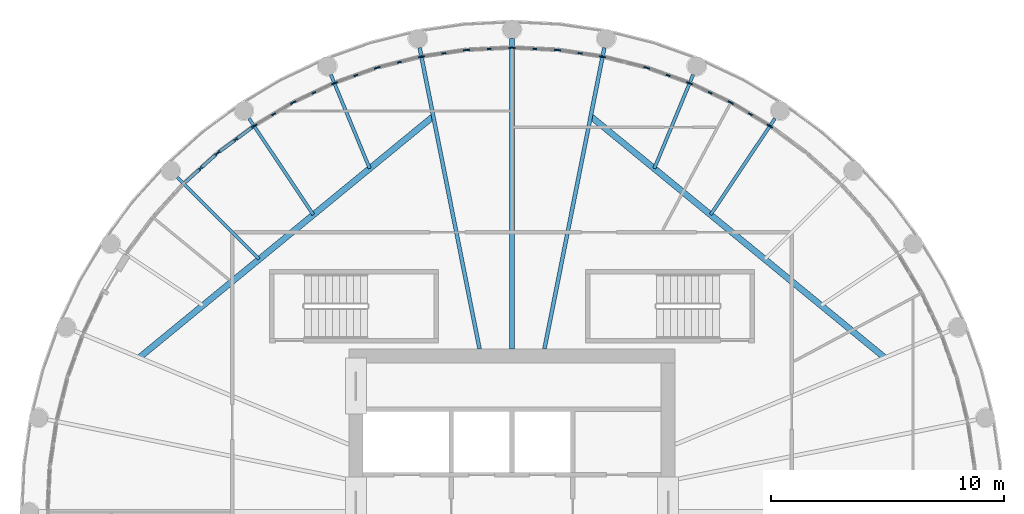
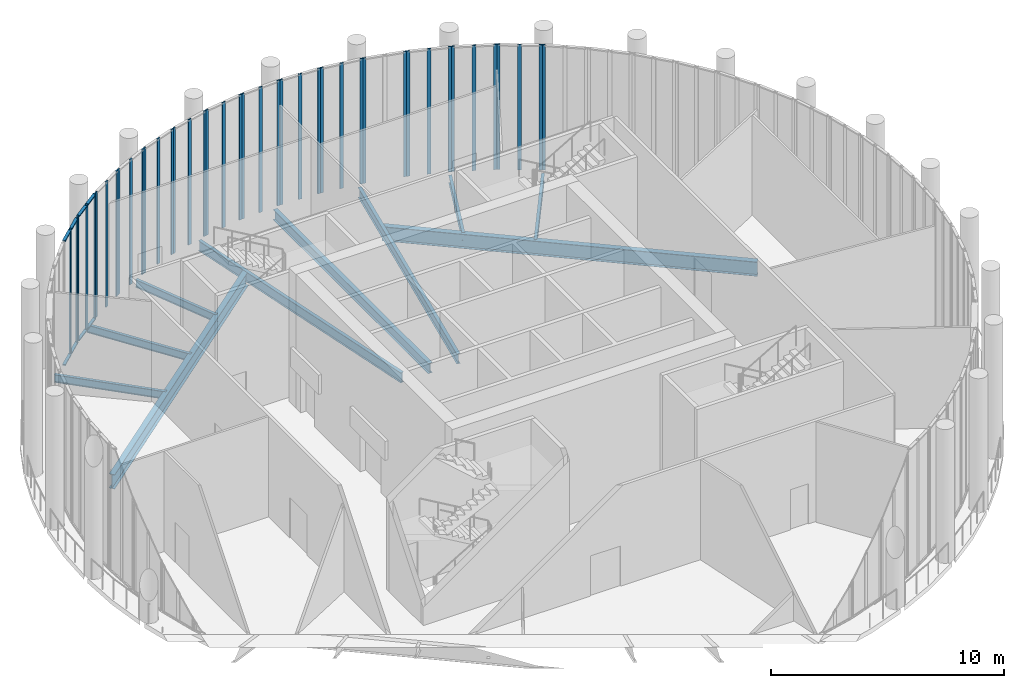
# One storey, part 7 of 21: 49 members, 10 beams, 15 elements without a shape of their own.
"""IFC4 building model written with IfcOpenShell, lengths in metres."""

from ifc_helpers import new_model, si_unit, direction, frame, origin, origin_2d, place, context, subcontext, project, spatial, rectangle, i_section, extrude, material, material_profile, profile_set, type_object, element, aggregate, save


model = new_model("IFC4")

# Units and contexts
model_context = context("Model", 3, precision=1e-05, world=origin(), true_north=direction((0.0, 1.0)))
body_context = subcontext(model_context, "Body", "Model", "MODEL_VIEW")
ifc_project = project(units=[si_unit("LENGTHUNIT", "METRE"), si_unit("AREAUNIT", "SQUARE_METRE"), si_unit("VOLUMEUNIT", "CUBIC_METRE"), si_unit("PLANEANGLEUNIT", "RADIAN"), si_unit("MASSUNIT", "GRAM", prefix="KILO")], contexts=[model_context])

# Site, building, storey
site_placement = place(None, origin())
site = spatial("IfcSite", under=ifc_project, at=site_placement, CompositionType="ELEMENT")
building_placement = place(site_placement, origin())
building = spatial("IfcBuilding", under=site, at=building_placement, Name="Corvane Civic Tower", CompositionType="ELEMENT")
storey_placement = place(building_placement, frame((0.0, 0.0, 380.5)))
storey = spatial("IfcBuildingStorey", under=building, at=storey_placement, Name="L91", CompositionType="ELEMENT", Elevation=380.5)

# Curtain wall, members
ifc_material_1 = material(Name="Aluminium and glass", Category="aluminium")
curtain_wall_type = type_object("IfcCurtainWallType", Name="CROWN-CW-O-RUN", PredefinedType="NOTDEFINED", material=ifc_material_1)
curtain_wall_1_placement = place(storey_placement, origin())
curtain_wall_1 = element("IfcCurtainWall", 1, at=curtain_wall_1_placement, inside=storey, type_object=curtain_wall_type, Name="CW-O run L91 1", PredefinedType="NOTDEFINED")
ifc_material_2 = material(Name="Anodised aluminium bronze", Category="aluminium")
ifc_material_profile_1 = material_profile(ifc_material_2, rectangle(XDim=0.06005859375, YDim=0.179931640625, at=origin_2d()), Name="AL 60x180")
ifc_profile_set_1 = profile_set([ifc_material_profile_1], Name="Anodised aluminium bronze")
member_type_1 = type_object("IfcMemberType", Name="CROWN-CWO-MULLION-60x180", PredefinedType="MULLION", material=ifc_profile_set_1)
member_1_placement = place(storey_placement, frame((-0.045654296875, 19.90771484375, 0.0), z_axis=(0.0, 0.0, 1.0), x_axis=(0.048990829113, -0.998799228405, 0.0)))
member_1 = element("IfcMember", 2, at=member_1_placement, type_object=member_type_1, Name="CW-O mullion 1", PredefinedType="MULLION", context=body_context, shape_type="SweptSolid", body=[
    extrude(rectangle(XDim=0.06005859375, YDim=0.179931640625, at=origin_2d()), origin(), (0.0, 0.0, 1.0), 6.550048828125),
])
member_2_placement = place(storey_placement, frame((-0.975830078125, 19.862060546875, 0.0), z_axis=(0.0, 0.0, 1.0), x_axis=(0.048990829113, -0.998799228405, 0.0)))
member_2 = element("IfcMember", 3, at=member_2_placement, type_object=member_type_1, Name="CW-O mullion 2", PredefinedType="MULLION", context=body_context, shape_type="SweptSolid", body=[
    extrude(rectangle(XDim=0.06005859375, YDim=0.179931640625, at=origin_2d()), origin(), (0.0, 0.0, 1.0), 6.550048828125),
])
member_3_placement = place(storey_placement, frame((-1.90625, 19.81640625, 0.0), z_axis=(0.0, 0.0, 1.0), x_axis=(0.048990829113, -0.998799228405, 0.0)))
member_3 = element("IfcMember", 4, at=member_3_placement, type_object=member_type_1, Name="CW-O mullion 3", PredefinedType="MULLION", context=body_context, shape_type="SweptSolid", body=[
    extrude(rectangle(XDim=0.06005859375, YDim=0.179931640625, at=origin_2d()), origin(), (0.0, 0.0, 1.0), 6.550048828125),
])
aggregate(curtain_wall_1, [member_1, member_2, member_3])

curtain_wall_2_placement = place(storey_placement, origin())
curtain_wall_2 = element("IfcCurtainWall", 5, at=curtain_wall_2_placement, inside=storey, type_object=curtain_wall_type, Name="CW-O run L91 2", PredefinedType="NOTDEFINED")
member_4_placement = place(storey_placement, frame((-1.99658203125, 19.807373046875, 0.0), z_axis=(0.0, 0.0, 1.0), x_axis=(0.146771076941, -0.989170486303, 0.0)))
member_4 = element("IfcMember", 6, at=member_4_placement, type_object=member_type_1, Name="CW-O mullion 1", PredefinedType="MULLION", context=body_context, shape_type="SweptSolid", body=[
    extrude(rectangle(XDim=0.06005859375, YDim=0.179931640625, at=origin_2d()), origin(), (0.0, 0.0, 1.0), 6.550048828125),
])
member_5_placement = place(storey_placement, frame((-2.91796875, 19.670654296875, 0.0), z_axis=(0.0, 0.0, 1.0), x_axis=(0.146771076941, -0.989170486303, 0.0)))
member_5 = element("IfcMember", 7, at=member_5_placement, type_object=member_type_1, Name="CW-O mullion 2", PredefinedType="MULLION", context=body_context, shape_type="SweptSolid", body=[
    extrude(rectangle(XDim=0.06005859375, YDim=0.179931640625, at=origin_2d()), origin(), (0.0, 0.0, 1.0), 6.550048828125),
])
member_6_placement = place(storey_placement, frame((-3.839111328125, 19.533935546875, 0.0), z_axis=(0.0, 0.0, 1.0), x_axis=(0.146771076941, -0.989170486303, 0.0)))
member_6 = element("IfcMember", 8, at=member_6_placement, type_object=member_type_1, Name="CW-O mullion 3", PredefinedType="MULLION", context=body_context, shape_type="SweptSolid", body=[
    extrude(rectangle(XDim=0.06005859375, YDim=0.179931640625, at=origin_2d()), origin(), (0.0, 0.0, 1.0), 6.550048828125),
])
aggregate(curtain_wall_2, [member_4, member_5, member_6])

curtain_wall_3_placement = place(storey_placement, origin())
curtain_wall_3 = element("IfcCurtainWall", 9, at=curtain_wall_3_placement, inside=storey, type_object=curtain_wall_type, Name="CW-O run L91 3", PredefinedType="NOTDEFINED")
member_7_placement = place(storey_placement, frame((-3.928466796875, 19.516357421875, 0.0), z_axis=(0.0, 0.0, 1.0), x_axis=(0.242951704982, -0.970038385347, 0.0)))
member_7 = element("IfcMember", 10, at=member_7_placement, type_object=member_type_1, Name="CW-O mullion 1", PredefinedType="MULLION", context=body_context, shape_type="SweptSolid", body=[
    extrude(rectangle(XDim=0.06005859375, YDim=0.179931640625, at=origin_2d()), origin(), (0.0, 0.0, 1.0), 6.550048828125),
])
member_8_placement = place(storey_placement, frame((-4.831787109375, 19.2900390625, 0.0), z_axis=(0.0, 0.0, 1.0), x_axis=(0.242951704982, -0.970038385347, 0.0)))
member_8 = element("IfcMember", 11, at=member_8_placement, type_object=member_type_1, Name="CW-O mullion 2", PredefinedType="MULLION", context=body_context, shape_type="SweptSolid", body=[
    extrude(rectangle(XDim=0.06005859375, YDim=0.179931640625, at=origin_2d()), origin(), (0.0, 0.0, 1.0), 6.550048828125),
])
member_9_placement = place(storey_placement, frame((-5.7353515625, 19.063720703125, 0.0), z_axis=(0.0, 0.0, 1.0), x_axis=(0.242951704982, -0.970038385347, 0.0)))
member_9 = element("IfcMember", 12, at=member_9_placement, type_object=member_type_1, Name="CW-O mullion 3", PredefinedType="MULLION", context=body_context, shape_type="SweptSolid", body=[
    extrude(rectangle(XDim=0.06005859375, YDim=0.179931640625, at=origin_2d()), origin(), (0.0, 0.0, 1.0), 6.550048828125),
])
aggregate(curtain_wall_3, [member_7, member_8, member_9])

curtain_wall_4_placement = place(storey_placement, origin())
curtain_wall_4 = element("IfcCurtainWall", 13, at=curtain_wall_4_placement, inside=storey, type_object=curtain_wall_type, Name="CW-O run L91 4", PredefinedType="NOTDEFINED")
member_10_placement = place(storey_placement, frame((-5.822509765625, 19.037353515625, 0.0), z_axis=(0.0, 0.0, 1.0), x_axis=(0.336982106999, -0.941511051216, 0.0)))
member_10 = element("IfcMember", 14, at=member_10_placement, type_object=member_type_1, Name="CW-O mullion 1", PredefinedType="MULLION", context=body_context, shape_type="SweptSolid", body=[
    extrude(rectangle(XDim=0.06005859375, YDim=0.179931640625, at=origin_2d()), origin(), (0.0, 0.0, 1.0), 6.550048828125),
])
member_11_placement = place(storey_placement, frame((-6.69921875, 18.723388671875, 0.0), z_axis=(0.0, 0.0, 1.0), x_axis=(0.336982106999, -0.941511051216, 0.0)))
member_11 = element("IfcMember", 15, at=member_11_placement, type_object=member_type_1, Name="CW-O mullion 2", PredefinedType="MULLION", context=body_context, shape_type="SweptSolid", body=[
    extrude(rectangle(XDim=0.06005859375, YDim=0.179931640625, at=origin_2d()), origin(), (0.0, 0.0, 1.0), 6.550048828125),
])
member_12_placement = place(storey_placement, frame((-7.576171875, 18.40966796875, 0.0), z_axis=(0.0, 0.0, 1.0), x_axis=(0.336982106999, -0.941511051216, 0.0)))
member_12 = element("IfcMember", 16, at=member_12_placement, type_object=member_type_1, Name="CW-O mullion 3", PredefinedType="MULLION", context=body_context, shape_type="SweptSolid", body=[
    extrude(rectangle(XDim=0.06005859375, YDim=0.179931640625, at=origin_2d()), origin(), (0.0, 0.0, 1.0), 6.550048828125),
])
aggregate(curtain_wall_4, [member_10, member_11, member_12])

curtain_wall_5_placement = place(storey_placement, origin())
curtain_wall_5 = element("IfcCurtainWall", 17, at=curtain_wall_5_placement, inside=storey, type_object=curtain_wall_type, Name="CW-O run L91 5", PredefinedType="NOTDEFINED")
member_13_placement = place(storey_placement, frame((-7.660400390625, 18.374755859375, 0.0), z_axis=(0.0, 0.0, 1.0), x_axis=(0.427509457959, -0.904010875684, 0.0)))
member_13 = element("IfcMember", 18, at=member_13_placement, type_object=member_type_1, Name="CW-O mullion 1", PredefinedType="MULLION", context=body_context, shape_type="SweptSolid", body=[
    extrude(rectangle(XDim=0.06005859375, YDim=0.179931640625, at=origin_2d()), origin(), (0.0, 0.0, 1.0), 6.550048828125),
])
member_14_placement = place(storey_placement, frame((-8.502197265625, 17.9765625, 0.0), z_axis=(0.0, 0.0, 1.0), x_axis=(0.427509457959, -0.904010875684, 0.0)))
member_14 = element("IfcMember", 19, at=member_14_placement, type_object=member_type_1, Name="CW-O mullion 2", PredefinedType="MULLION", context=body_context, shape_type="SweptSolid", body=[
    extrude(rectangle(XDim=0.06005859375, YDim=0.179931640625, at=origin_2d()), origin(), (0.0, 0.0, 1.0), 6.550048828125),
])
member_15_placement = place(storey_placement, frame((-9.34423828125, 17.578369140625, 0.0), z_axis=(0.0, 0.0, 1.0), x_axis=(0.427509457959, -0.904010875684, 0.0)))
member_15 = element("IfcMember", 20, at=member_15_placement, type_object=member_type_1, Name="CW-O mullion 3", PredefinedType="MULLION", context=body_context, shape_type="SweptSolid", body=[
    extrude(rectangle(XDim=0.06005859375, YDim=0.179931640625, at=origin_2d()), origin(), (0.0, 0.0, 1.0), 6.550048828125),
])
aggregate(curtain_wall_5, [member_13, member_14, member_15])

curtain_wall_6_placement = place(storey_placement, origin())
curtain_wall_6 = element("IfcCurtainWall", 21, at=curtain_wall_6_placement, inside=storey, type_object=curtain_wall_type, Name="CW-O run L91 6", PredefinedType="NOTDEFINED")
member_16_placement = place(storey_placement, frame((-9.424560546875, 17.53564453125, 0.0), z_axis=(0.0, 0.0, 1.0), x_axis=(0.514151508287, -0.857699380043, 0.0)))
member_16 = element("IfcMember", 22, at=member_16_placement, type_object=member_type_1, Name="CW-O mullion 1", PredefinedType="MULLION", context=body_context, shape_type="SweptSolid", body=[
    extrude(rectangle(XDim=0.06005859375, YDim=0.179931640625, at=origin_2d()), origin(), (0.0, 0.0, 1.0), 6.550048828125),
])
member_17_placement = place(storey_placement, frame((-10.223388671875, 17.056640625, 0.0), z_axis=(0.0, 0.0, 1.0), x_axis=(0.514151508287, -0.857699380043, 0.0)))
member_17 = element("IfcMember", 23, at=member_17_placement, type_object=member_type_1, Name="CW-O mullion 2", PredefinedType="MULLION", context=body_context, shape_type="SweptSolid", body=[
    extrude(rectangle(XDim=0.06005859375, YDim=0.179931640625, at=origin_2d()), origin(), (0.0, 0.0, 1.0), 6.550048828125),
])
member_18_placement = place(storey_placement, frame((-11.022216796875, 16.577880859375, 0.0), z_axis=(0.0, 0.0, 1.0), x_axis=(0.514151508287, -0.857699380043, 0.0)))
member_18 = element("IfcMember", 24, at=member_18_placement, type_object=member_type_1, Name="CW-O mullion 3", PredefinedType="MULLION", context=body_context, shape_type="SweptSolid", body=[
    extrude(rectangle(XDim=0.06005859375, YDim=0.179931640625, at=origin_2d()), origin(), (0.0, 0.0, 1.0), 6.550048828125),
])
aggregate(curtain_wall_6, [member_16, member_17, member_18])

curtain_wall_7_placement = place(storey_placement, origin())
curtain_wall_7 = element("IfcCurtainWall", 25, at=curtain_wall_7_placement, inside=storey, type_object=curtain_wall_type, Name="CW-O run L91 7", PredefinedType="NOTDEFINED")
member_19_placement = place(storey_placement, frame((-11.097900390625, 16.52734375, 0.0), z_axis=(0.0, 0.0, 1.0), x_axis=(0.595722477003, -0.803190345058, 0.0)))
member_19 = element("IfcMember", 26, at=member_19_placement, type_object=member_type_1, Name="CW-O mullion 1", PredefinedType="MULLION", context=body_context, shape_type="SweptSolid", body=[
    extrude(rectangle(XDim=0.06005859375, YDim=0.179931640625, at=origin_2d()), origin(), (0.0, 0.0, 1.0), 6.550048828125),
])
member_20_placement = place(storey_placement, frame((-11.845947265625, 15.972412109375, 0.0), z_axis=(0.0, 0.0, 1.0), x_axis=(0.595722477003, -0.803190345058, 0.0)))
member_20 = element("IfcMember", 27, at=member_20_placement, type_object=member_type_1, Name="CW-O mullion 2", PredefinedType="MULLION", context=body_context, shape_type="SweptSolid", body=[
    extrude(rectangle(XDim=0.06005859375, YDim=0.179931640625, at=origin_2d()), origin(), (0.0, 0.0, 1.0), 6.550048828125),
])
member_21_placement = place(storey_placement, frame((-12.593994140625, 15.417724609375, 0.0), z_axis=(0.0, 0.0, 1.0), x_axis=(0.595722477003, -0.803190345058, 0.0)))
member_21 = element("IfcMember", 28, at=member_21_placement, type_object=member_type_1, Name="CW-O mullion 3", PredefinedType="MULLION", context=body_context, shape_type="SweptSolid", body=[
    extrude(rectangle(XDim=0.06005859375, YDim=0.179931640625, at=origin_2d()), origin(), (0.0, 0.0, 1.0), 6.550048828125),
])

curtain_wall_8_placement = place(storey_placement, origin())
curtain_wall_8 = element("IfcCurtainWall", 29, at=curtain_wall_8_placement, inside=storey, type_object=curtain_wall_type, Name="CW-O run L91 8", PredefinedType="NOTDEFINED")
member_22_placement = place(storey_placement, frame((-12.664306640625, 15.35986328125, 0.0), z_axis=(0.0, 0.0, 1.0), x_axis=(0.671566717692, -0.740944089448, 0.0)))
member_22 = element("IfcMember", 30, at=member_22_placement, type_object=member_type_1, Name="CW-O mullion 1", PredefinedType="MULLION", context=body_context, shape_type="SweptSolid", body=[
    extrude(rectangle(XDim=0.06005859375, YDim=0.179931640625, at=origin_2d()), origin(), (0.0, 0.0, 1.0), 6.550048828125),
])
member_23_placement = place(storey_placement, frame((-13.3544921875, 14.734375, 0.0), z_axis=(0.0, 0.0, 1.0), x_axis=(0.671566717692, -0.740944089448, 0.0)))
member_23 = element("IfcMember", 31, at=member_23_placement, type_object=member_type_1, Name="CW-O mullion 2", PredefinedType="MULLION", context=body_context, shape_type="SweptSolid", body=[
    extrude(rectangle(XDim=0.06005859375, YDim=0.179931640625, at=origin_2d()), origin(), (0.0, 0.0, 1.0), 6.550048828125),
])

# Curtain wall, member
curtain_wall_9_placement = place(storey_placement, origin())
curtain_wall_9 = element("IfcCurtainWall", 32, at=curtain_wall_9_placement, inside=storey, type_object=curtain_wall_type, Name="CW-O run L91 58", PredefinedType="NOTDEFINED")
member_24_placement = place(storey_placement, frame((11.097900390625, 16.52734375, 0.0), z_axis=(0.0, 0.0, 1.0), x_axis=(-0.595722477003, -0.803190345058, 0.0)))
member_24 = element("IfcMember", 33, at=member_24_placement, type_object=member_type_1, Name="CW-O mullion 3", PredefinedType="MULLION", context=body_context, shape_type="SweptSolid", body=[
    extrude(rectangle(XDim=0.06005859375, YDim=0.179931640625, at=origin_2d()), origin(), (0.0, 0.0, 1.0), 6.550048828125),
])
aggregate(curtain_wall_9, [member_24])

# Curtain wall, members
curtain_wall_10_placement = place(storey_placement, origin())
curtain_wall_10 = element("IfcCurtainWall", 34, at=curtain_wall_10_placement, inside=storey, type_object=curtain_wall_type, Name="CW-O run L91 59", PredefinedType="NOTDEFINED")
member_25_placement = place(storey_placement, frame((11.022216796875, 16.577880859375, 0.0), z_axis=(0.0, 0.0, 1.0), x_axis=(-0.514151508287, -0.857699380043, 0.0)))
member_25 = element("IfcMember", 35, at=member_25_placement, type_object=member_type_1, Name="CW-O mullion 1", PredefinedType="MULLION", context=body_context, shape_type="SweptSolid", body=[
    extrude(rectangle(XDim=0.06005859375, YDim=0.179931640625, at=origin_2d()), origin(), (0.0, 0.0, 1.0), 6.550048828125),
])
member_26_placement = place(storey_placement, frame((10.223388671875, 17.056640625, 0.0), z_axis=(0.0, 0.0, 1.0), x_axis=(-0.514151508287, -0.857699380043, 0.0)))
member_26 = element("IfcMember", 36, at=member_26_placement, type_object=member_type_1, Name="CW-O mullion 2", PredefinedType="MULLION", context=body_context, shape_type="SweptSolid", body=[
    extrude(rectangle(XDim=0.06005859375, YDim=0.179931640625, at=origin_2d()), origin(), (0.0, 0.0, 1.0), 6.550048828125),
])
member_27_placement = place(storey_placement, frame((9.424560546875, 17.53564453125, 0.0), z_axis=(0.0, 0.0, 1.0), x_axis=(-0.514151508287, -0.857699380043, 0.0)))
member_27 = element("IfcMember", 37, at=member_27_placement, type_object=member_type_1, Name="CW-O mullion 3", PredefinedType="MULLION", context=body_context, shape_type="SweptSolid", body=[
    extrude(rectangle(XDim=0.06005859375, YDim=0.179931640625, at=origin_2d()), origin(), (0.0, 0.0, 1.0), 6.550048828125),
])
aggregate(curtain_wall_10, [member_25, member_26, member_27])

curtain_wall_11_placement = place(storey_placement, origin())
curtain_wall_11 = element("IfcCurtainWall", 38, at=curtain_wall_11_placement, inside=storey, type_object=curtain_wall_type, Name="CW-O run L91 60", PredefinedType="NOTDEFINED")
member_28_placement = place(storey_placement, frame((9.34423828125, 17.578369140625, 0.0), z_axis=(0.0, 0.0, 1.0), x_axis=(-0.427509457959, -0.904010875684, 0.0)))
member_28 = element("IfcMember", 39, at=member_28_placement, type_object=member_type_1, Name="CW-O mullion 1", PredefinedType="MULLION", context=body_context, shape_type="SweptSolid", body=[
    extrude(rectangle(XDim=0.06005859375, YDim=0.179931640625, at=origin_2d()), origin(), (0.0, 0.0, 1.0), 6.550048828125),
])
member_29_placement = place(storey_placement, frame((8.502197265625, 17.9765625, 0.0), z_axis=(0.0, 0.0, 1.0), x_axis=(-0.427509457959, -0.904010875684, 0.0)))
member_29 = element("IfcMember", 40, at=member_29_placement, type_object=member_type_1, Name="CW-O mullion 2", PredefinedType="MULLION", context=body_context, shape_type="SweptSolid", body=[
    extrude(rectangle(XDim=0.06005859375, YDim=0.179931640625, at=origin_2d()), origin(), (0.0, 0.0, 1.0), 6.550048828125),
])
member_30_placement = place(storey_placement, frame((7.660400390625, 18.374755859375, 0.0), z_axis=(0.0, 0.0, 1.0), x_axis=(-0.427509457959, -0.904010875684, 0.0)))
member_30 = element("IfcMember", 41, at=member_30_placement, type_object=member_type_1, Name="CW-O mullion 3", PredefinedType="MULLION", context=body_context, shape_type="SweptSolid", body=[
    extrude(rectangle(XDim=0.06005859375, YDim=0.179931640625, at=origin_2d()), origin(), (0.0, 0.0, 1.0), 6.550048828125),
])
aggregate(curtain_wall_11, [member_28, member_29, member_30])

curtain_wall_12_placement = place(storey_placement, origin())
curtain_wall_12 = element("IfcCurtainWall", 42, at=curtain_wall_12_placement, inside=storey, type_object=curtain_wall_type, Name="CW-O run L91 61", PredefinedType="NOTDEFINED")
member_31_placement = place(storey_placement, frame((7.576171875, 18.40966796875, 0.0), z_axis=(0.0, 0.0, 1.0), x_axis=(-0.336982106999, -0.941511051216, 0.0)))
member_31 = element("IfcMember", 43, at=member_31_placement, type_object=member_type_1, Name="CW-O mullion 1", PredefinedType="MULLION", context=body_context, shape_type="SweptSolid", body=[
    extrude(rectangle(XDim=0.06005859375, YDim=0.179931640625, at=origin_2d()), origin(), (0.0, 0.0, 1.0), 6.550048828125),
])
member_32_placement = place(storey_placement, frame((6.69921875, 18.723388671875, 0.0), z_axis=(0.0, 0.0, 1.0), x_axis=(-0.336982106999, -0.941511051216, 0.0)))
member_32 = element("IfcMember", 44, at=member_32_placement, type_object=member_type_1, Name="CW-O mullion 2", PredefinedType="MULLION", context=body_context, shape_type="SweptSolid", body=[
    extrude(rectangle(XDim=0.06005859375, YDim=0.179931640625, at=origin_2d()), origin(), (0.0, 0.0, 1.0), 6.550048828125),
])
member_33_placement = place(storey_placement, frame((5.822509765625, 19.037353515625, 0.0), z_axis=(0.0, 0.0, 1.0), x_axis=(-0.336982106999, -0.941511051216, 0.0)))
member_33 = element("IfcMember", 45, at=member_33_placement, type_object=member_type_1, Name="CW-O mullion 3", PredefinedType="MULLION", context=body_context, shape_type="SweptSolid", body=[
    extrude(rectangle(XDim=0.06005859375, YDim=0.179931640625, at=origin_2d()), origin(), (0.0, 0.0, 1.0), 6.550048828125),
])
aggregate(curtain_wall_12, [member_31, member_32, member_33])

curtain_wall_13_placement = place(storey_placement, origin())
curtain_wall_13 = element("IfcCurtainWall", 46, at=curtain_wall_13_placement, inside=storey, type_object=curtain_wall_type, Name="CW-O run L91 62", PredefinedType="NOTDEFINED")
member_34_placement = place(storey_placement, frame((5.7353515625, 19.063720703125, 0.0), z_axis=(0.0, 0.0, 1.0), x_axis=(-0.242951704982, -0.970038385347, 0.0)))
member_34 = element("IfcMember", 47, at=member_34_placement, type_object=member_type_1, Name="CW-O mullion 1", PredefinedType="MULLION", context=body_context, shape_type="SweptSolid", body=[
    extrude(rectangle(XDim=0.06005859375, YDim=0.179931640625, at=origin_2d()), origin(), (0.0, 0.0, 1.0), 6.550048828125),
])
member_35_placement = place(storey_placement, frame((3.928466796875, 19.516357421875, 0.0), z_axis=(0.0, 0.0, 1.0), x_axis=(-0.242951704982, -0.970038385347, 0.0)))
member_35 = element("IfcMember", 48, at=member_35_placement, type_object=member_type_1, Name="CW-O mullion 3", PredefinedType="MULLION", context=body_context, shape_type="SweptSolid", body=[
    extrude(rectangle(XDim=0.06005859375, YDim=0.179931640625, at=origin_2d()), origin(), (0.0, 0.0, 1.0), 6.550048828125),
])
aggregate(curtain_wall_13, [member_34, member_35])

curtain_wall_14_placement = place(storey_placement, origin())
curtain_wall_14 = element("IfcCurtainWall", 49, at=curtain_wall_14_placement, inside=storey, type_object=curtain_wall_type, Name="CW-O run L91 63", PredefinedType="NOTDEFINED")
member_36_placement = place(storey_placement, frame((3.839111328125, 19.533935546875, 0.0), z_axis=(0.0, 0.0, 1.0), x_axis=(-0.146771076941, -0.989170486303, 0.0)))
member_36 = element("IfcMember", 50, at=member_36_placement, type_object=member_type_1, Name="CW-O mullion 1", PredefinedType="MULLION", context=body_context, shape_type="SweptSolid", body=[
    extrude(rectangle(XDim=0.06005859375, YDim=0.179931640625, at=origin_2d()), origin(), (0.0, 0.0, 1.0), 6.550048828125),
])
member_37_placement = place(storey_placement, frame((2.91796875, 19.670654296875, 0.0), z_axis=(0.0, 0.0, 1.0), x_axis=(-0.146771076941, -0.989170486303, 0.0)))
member_37 = element("IfcMember", 51, at=member_37_placement, type_object=member_type_1, Name="CW-O mullion 2", PredefinedType="MULLION", context=body_context, shape_type="SweptSolid", body=[
    extrude(rectangle(XDim=0.06005859375, YDim=0.179931640625, at=origin_2d()), origin(), (0.0, 0.0, 1.0), 6.550048828125),
])
member_38_placement = place(storey_placement, frame((1.99658203125, 19.807373046875, 0.0), z_axis=(0.0, 0.0, 1.0), x_axis=(-0.146771076941, -0.989170486303, 0.0)))
member_38 = element("IfcMember", 52, at=member_38_placement, type_object=member_type_1, Name="CW-O mullion 3", PredefinedType="MULLION", context=body_context, shape_type="SweptSolid", body=[
    extrude(rectangle(XDim=0.06005859375, YDim=0.179931640625, at=origin_2d()), origin(), (0.0, 0.0, 1.0), 6.550048828125),
])
aggregate(curtain_wall_14, [member_36, member_37, member_38])

curtain_wall_15_placement = place(storey_placement, origin())
curtain_wall_15 = element("IfcCurtainWall", 53, at=curtain_wall_15_placement, inside=storey, type_object=curtain_wall_type, Name="CW-O run L91 64", PredefinedType="NOTDEFINED")
member_39_placement = place(storey_placement, frame((1.90625, 19.81640625, 0.0), z_axis=(0.0, 0.0, 1.0), x_axis=(-0.048990829113, -0.998799228405, 0.0)))
member_39 = element("IfcMember", 54, at=member_39_placement, type_object=member_type_1, Name="CW-O mullion 1", PredefinedType="MULLION", context=body_context, shape_type="SweptSolid", body=[
    extrude(rectangle(XDim=0.06005859375, YDim=0.179931640625, at=origin_2d()), origin(), (0.0, 0.0, 1.0), 6.550048828125),
])
member_40_placement = place(storey_placement, frame((0.975830078125, 19.862060546875, 0.0), z_axis=(0.0, 0.0, 1.0), x_axis=(-0.048990829113, -0.998799228405, 0.0)))
member_40 = element("IfcMember", 55, at=member_40_placement, type_object=member_type_1, Name="CW-O mullion 2", PredefinedType="MULLION", context=body_context, shape_type="SweptSolid", body=[
    extrude(rectangle(XDim=0.06005859375, YDim=0.179931640625, at=origin_2d()), origin(), (0.0, 0.0, 1.0), 6.550048828125),
])
member_41_placement = place(storey_placement, frame((0.045654296875, 19.90771484375, 0.0), z_axis=(0.0, 0.0, 1.0), x_axis=(-0.048990829113, -0.998799228405, 0.0)))
member_41 = element("IfcMember", 56, at=member_41_placement, type_object=member_type_1, Name="CW-O mullion 3", PredefinedType="MULLION", context=body_context, shape_type="SweptSolid", body=[
    extrude(rectangle(XDim=0.06005859375, YDim=0.179931640625, at=origin_2d()), origin(), (0.0, 0.0, 1.0), 6.550048828125),
])
aggregate(curtain_wall_15, [member_39, member_40, member_41])

# Member
ifc_material_3 = material(Name="Anodised aluminium bronze", Category="aluminium")
ifc_material_profile_2 = material_profile(ifc_material_3, rectangle(XDim=0.139892578125, YDim=0.06005859375, at=origin_2d()), Name="AL 140x60")
ifc_profile_set_2 = profile_set([ifc_material_profile_2], Name="Anodised aluminium bronze")
member_type_2 = type_object("IfcMemberType", Name="CROWN-CWO-TRANSOM-60x140", PredefinedType="USERDEFINED", material=ifc_profile_set_2)
member_42_placement = place(storey_placement, frame((-11.1220703125, 16.509521484375, 0.030029296875), z_axis=(-0.803149934257, -0.595776957512, 0.0), x_axis=(0.595776957512, -0.803149934257, 0.0)))
member_42 = element("IfcMember", 57, at=member_42_placement, type_object=member_type_2, Name="CW-O transom 1.1", ObjectType="TRANSOM", PredefinedType="USERDEFINED", context=body_context, shape_type="SweptSolid", body=[
    extrude(rectangle(XDim=0.139892578125, YDim=0.06005859375, at=origin_2d()), origin(), (0.0, 0.0, 1.0), 0.87109375),
])

member_43_placement = place(storey_placement, frame((-11.1220703125, 16.509521484375, 6.52001953125), z_axis=(-0.803149934257, -0.595776957512, 0.0), x_axis=(0.595776957512, -0.803149934257, 0.0)))
member_43 = element("IfcMember", 58, at=member_43_placement, type_object=member_type_2, Name="CW-O transom 1.2", ObjectType="TRANSOM", PredefinedType="USERDEFINED", context=body_context, shape_type="SweptSolid", body=[
    extrude(rectangle(XDim=0.139892578125, YDim=0.06005859375, at=origin_2d()), origin(), (0.0, 0.0, 1.0), 0.87109375),
])

member_44_placement = place(storey_placement, frame((-11.8701171875, 15.95458984375, 0.030029296875), z_axis=(-0.803149934257, -0.595776957512, 0.0), x_axis=(0.595776957512, -0.803149934257, 0.0)))
member_44 = element("IfcMember", 59, at=member_44_placement, type_object=member_type_2, Name="CW-O transom 2.1", ObjectType="TRANSOM", PredefinedType="USERDEFINED", context=body_context, shape_type="SweptSolid", body=[
    extrude(rectangle(XDim=0.139892578125, YDim=0.06005859375, at=origin_2d()), origin(), (0.0, 0.0, 1.0), 0.87109375),
])

member_45_placement = place(storey_placement, frame((-11.8701171875, 15.95458984375, 6.52001953125), z_axis=(-0.803149934257, -0.595776957512, 0.0), x_axis=(0.595776957512, -0.803149934257, 0.0)))
member_45 = element("IfcMember", 60, at=member_45_placement, type_object=member_type_2, Name="CW-O transom 2.2", ObjectType="TRANSOM", PredefinedType="USERDEFINED", context=body_context, shape_type="SweptSolid", body=[
    extrude(rectangle(XDim=0.139892578125, YDim=0.06005859375, at=origin_2d()), origin(), (0.0, 0.0, 1.0), 0.87109375),
])

aggregate(curtain_wall_7, [member_19, member_20, member_21, member_42, member_43, member_44, member_45])

member_46_placement = place(storey_placement, frame((-12.6865234375, 15.33984375, 0.030029296875), z_axis=(-0.740991307608, -0.671514617897, 0.0), x_axis=(0.671514617897, -0.740991307608, 0.0)))
member_46 = element("IfcMember", 61, at=member_46_placement, type_object=member_type_2, Name="CW-O transom 1.1", ObjectType="TRANSOM", PredefinedType="USERDEFINED", context=body_context, shape_type="SweptSolid", body=[
    extrude(rectangle(XDim=0.139892578125, YDim=0.06005859375, at=origin_2d()), origin(), (0.0, 0.0, 1.0), 0.87158203125),
])

member_47_placement = place(storey_placement, frame((-12.6865234375, 15.33984375, 6.52001953125), z_axis=(-0.740991307608, -0.671514617897, 0.0), x_axis=(0.671514617897, -0.740991307608, 0.0)))
member_47 = element("IfcMember", 62, at=member_47_placement, type_object=member_type_2, Name="CW-O transom 1.2", ObjectType="TRANSOM", PredefinedType="USERDEFINED", context=body_context, shape_type="SweptSolid", body=[
    extrude(rectangle(XDim=0.139892578125, YDim=0.06005859375, at=origin_2d()), origin(), (0.0, 0.0, 1.0), 0.87158203125),
])

member_48_placement = place(storey_placement, frame((-13.376708984375, 14.71435546875, 0.030029296875), z_axis=(-0.740991307608, -0.671514617897, 0.0), x_axis=(0.671514617897, -0.740991307608, 0.0)))
member_48 = element("IfcMember", 63, at=member_48_placement, type_object=member_type_2, Name="CW-O transom 2.1", ObjectType="TRANSOM", PredefinedType="USERDEFINED", context=body_context, shape_type="SweptSolid", body=[
    extrude(rectangle(XDim=0.139892578125, YDim=0.06005859375, at=origin_2d()), origin(), (0.0, 0.0, 1.0), 0.87158203125),
])

member_49_placement = place(storey_placement, frame((-13.376708984375, 14.71435546875, 6.52001953125), z_axis=(-0.740991307608, -0.671514617897, 0.0), x_axis=(0.671514617897, -0.740991307608, 0.0)))
member_49 = element("IfcMember", 64, at=member_49_placement, type_object=member_type_2, Name="CW-O transom 2.2", ObjectType="TRANSOM", PredefinedType="USERDEFINED", context=body_context, shape_type="SweptSolid", body=[
    extrude(rectangle(XDim=0.139892578125, YDim=0.06005859375, at=origin_2d()), origin(), (0.0, 0.0, 1.0), 0.87158203125),
])

aggregate(curtain_wall_8, [member_22, member_23, member_46, member_47, member_48, member_49])

# Beams
ifc_material_4 = material(Name="Steel ASTM A992 Gr 50", Category="steel")
ifc_material_profile_3 = material_profile(ifc_material_4, i_section(OverallWidth=0.140380859375, OverallDepth=0.40380859375, WebThickness=0.007080078125, FlangeThickness=0.01123046875, at=origin_2d()), Name="W16X31")
ifc_profile_set_3 = profile_set([ifc_material_profile_3], Name="Steel ASTM A992 Gr 50")
beam_type_1 = type_object("IfcBeamType", Name="FLOOR GIRDER W16X31", PredefinedType="BEAM", material=ifc_profile_set_3)
beam_1_placement = place(storey_placement, frame((6.101318359375, 14.729736328125, -0.65185546875), z_axis=(0.382696596497, 0.923874079639, 0.0), x_axis=(-0.923874079639, 0.382696596497, 0.0)))
element("IfcBeam", 65, at=beam_1_placement, inside=storey, type_object=beam_type_1, Name="BM-L91-G03", PredefinedType="BEAM", context=body_context, shape_type="SweptSolid", body=[
    extrude(i_section(OverallWidth=0.140380859375, OverallDepth=0.40380859375, WebThickness=0.007080078125, FlangeThickness=0.01123046875, at=origin_2d()), origin(), (0.0, 0.0, 1.0), 4.3564453125),
])
beam_2_placement = place(storey_placement, frame((8.51708984375, 12.746826171875, -0.65185546875), z_axis=(0.555572833015, 0.831467875035, 0.0), x_axis=(-0.831467875035, 0.555572833015, 0.0)))
element("IfcBeam", 66, at=beam_2_placement, inside=storey, type_object=beam_type_1, Name="BM-L91-G04", PredefinedType="BEAM", context=body_context, shape_type="SweptSolid", body=[
    extrude(i_section(OverallWidth=0.140380859375, OverallDepth=0.40380859375, WebThickness=0.007080078125, FlangeThickness=0.01123046875, at=origin_2d()), origin(), (0.0, 0.0, 1.0), 4.9697265625),
])
beam_3_placement = place(storey_placement, frame((-10.84033203125, 10.84033203125, -0.65185546875), z_axis=(-0.707106781187, 0.707106781187, 0.0), x_axis=(-0.707106781187, -0.707106781187, 0.0)))
element("IfcBeam", 67, at=beam_3_placement, inside=storey, type_object=beam_type_1, Name="BM-L91-G29", PredefinedType="BEAM", context=body_context, shape_type="SweptSolid", body=[
    extrude(i_section(OverallWidth=0.140380859375, OverallDepth=0.40380859375, WebThickness=0.007080078125, FlangeThickness=0.01123046875, at=origin_2d()), origin(), (0.0, 0.0, 1.0), 4.969482421875),
])
beam_4_placement = place(storey_placement, frame((-8.51708984375, 12.746826171875, -0.65185546875), z_axis=(-0.555572833015, 0.831467875035, 0.0), x_axis=(-0.831467875035, -0.555572833015, 0.0)))
element("IfcBeam", 68, at=beam_4_placement, inside=storey, type_object=beam_type_1, Name="BM-L91-G30", PredefinedType="BEAM", context=body_context, shape_type="SweptSolid", body=[
    extrude(i_section(OverallWidth=0.140380859375, OverallDepth=0.40380859375, WebThickness=0.007080078125, FlangeThickness=0.01123046875, at=origin_2d()), origin(), (0.0, 0.0, 1.0), 4.9697265625),
])
beam_5_placement = place(storey_placement, frame((-6.101318359375, 14.729736328125, -0.65185546875), z_axis=(-0.382696596497, 0.923874079639, 0.0), x_axis=(-0.923874079639, -0.382696596497, 0.0)))
element("IfcBeam", 69, at=beam_5_placement, inside=storey, type_object=beam_type_1, Name="BM-L91-G31", PredefinedType="BEAM", context=body_context, shape_type="SweptSolid", body=[
    extrude(i_section(OverallWidth=0.140380859375, OverallDepth=0.40380859375, WebThickness=0.007080078125, FlangeThickness=0.01123046875, at=origin_2d()), origin(), (0.0, 0.0, 1.0), 4.3564453125),
])
ifc_material_5 = material(Name="Steel ASTM A992 Gr 50", Category="steel")
ifc_material_profile_4 = material_profile(ifc_material_5, i_section(OverallWidth=0.165771484375, OverallDepth=0.5283203125, WebThickness=0.009765625, FlangeThickness=0.013671875, at=origin_2d()), Name="W21X50")
ifc_profile_set_4 = profile_set([ifc_material_profile_4], Name="Steel ASTM A992 Gr 50")
beam_type_2 = type_object("IfcBeamType", Name="FLOOR GIRDER W21X50", PredefinedType="BEAM", material=ifc_profile_set_4)
for number, where, z_axis, x_axis, name in (
    (70, (1.392333984375, 7.0, -0.714111328125), (0.195103041836, 0.980782750188, 0.0), (-0.980782750188, 0.195103041836, 0.0), "BM-L91-G02"),
    (71, (-1.392333984375, 7.0, -0.714111328125), (-0.195103041836, 0.980782750188, 0.0), (-0.980782750188, -0.195103041836, 0.0), "BM-L91-G32"),
):
    element("IfcBeam", number, at=place(storey_placement, frame(where, z_axis=z_axis, x_axis=x_axis)), inside=storey, type_object=beam_type_2, Name=name, PredefinedType="BEAM", context=body_context, shape_type="SweptSolid", body=[
        extrude(i_section(OverallWidth=0.165771484375, OverallDepth=0.5283203125, WebThickness=0.009765625, FlangeThickness=0.013671875, at=origin_2d()), origin(), (0.0, 0.0, 1.0), 13.162841796875),
    ])
ifc_material_6 = material(Name="Steel ASTM A992 Gr 50", Category="steel")
ifc_material_profile_5 = material_profile(ifc_material_6, i_section(OverallWidth=0.209228515625, OverallDepth=0.533447265625, WebThickness=0.01025390625, FlangeThickness=0.015625, at=origin_2d()), Name="W21X62")
ifc_profile_set_5 = profile_set([ifc_material_profile_5], Name="Steel ASTM A992 Gr 50")
beam_type_3 = type_object("IfcBeamType", Name="FLOOR GIRDER W21X62", PredefinedType="BEAM", material=ifc_profile_set_5)
beam_6_placement = place(storey_placement, frame((0.0, 7.0, -0.716796875), z_axis=(0.0, 1.0, 0.0), x_axis=(-1.0, 0.0, 0.0)))
element("IfcBeam", 72, at=beam_6_placement, inside=storey, type_object=beam_type_3, Name="BM-L91-G01", PredefinedType="BEAM", context=body_context, shape_type="SweptSolid", body=[
    extrude(i_section(OverallWidth=0.209228515625, OverallDepth=0.533447265625, WebThickness=0.01025390625, FlangeThickness=0.015625, at=origin_2d()), origin(), (0.0, 0.0, 1.0), 13.300048828125),
])
ifc_material_7 = material(Name="Steel ASTM A992 Gr 50", Category="steel")
ifc_material_profile_6 = material_profile(ifc_material_7, i_section(OverallWidth=0.26416015625, OverallDepth=0.749267578125, WebThickness=0.011962890625, FlangeThickness=0.015380859375, at=origin_2d()), Name="W30X90")
ifc_profile_set_6 = profile_set([ifc_material_profile_6], Name="Steel ASTM A992 Gr 50")
beam_type_4 = type_object("IfcBeamType", Name="FLOOR HEADER W30X90", PredefinedType="BEAM", material=ifc_profile_set_6)
for number, where, z_axis, x_axis, name in (
    (73, (3.375, 16.967041015625, -0.82470703125), (0.77300805618, -0.634396205127, 0.0), (0.634396205127, 0.77300805618, 0.0), "BM-L91-H02-07"),
    (74, (-15.982666015625, 6.6201171875, -0.82470703125), (0.77300805618, 0.634396205127, 0.0), (-0.634396205127, 0.77300805618, 0.0), "BM-L91-H27-32"),
):
    element("IfcBeam", number, at=place(storey_placement, frame(where, z_axis=z_axis, x_axis=x_axis)), inside=storey, type_object=beam_type_4, Name=name, PredefinedType="BEAM", context=body_context, shape_type="SweptSolid", body=[
        extrude(i_section(OverallWidth=0.26416015625, OverallDepth=0.749267578125, WebThickness=0.011962890625, FlangeThickness=0.015380859375, at=origin_2d()), origin(), (0.0, 0.0, 1.0), 16.309814453125),
    ])

save(model, "model.ifc")
